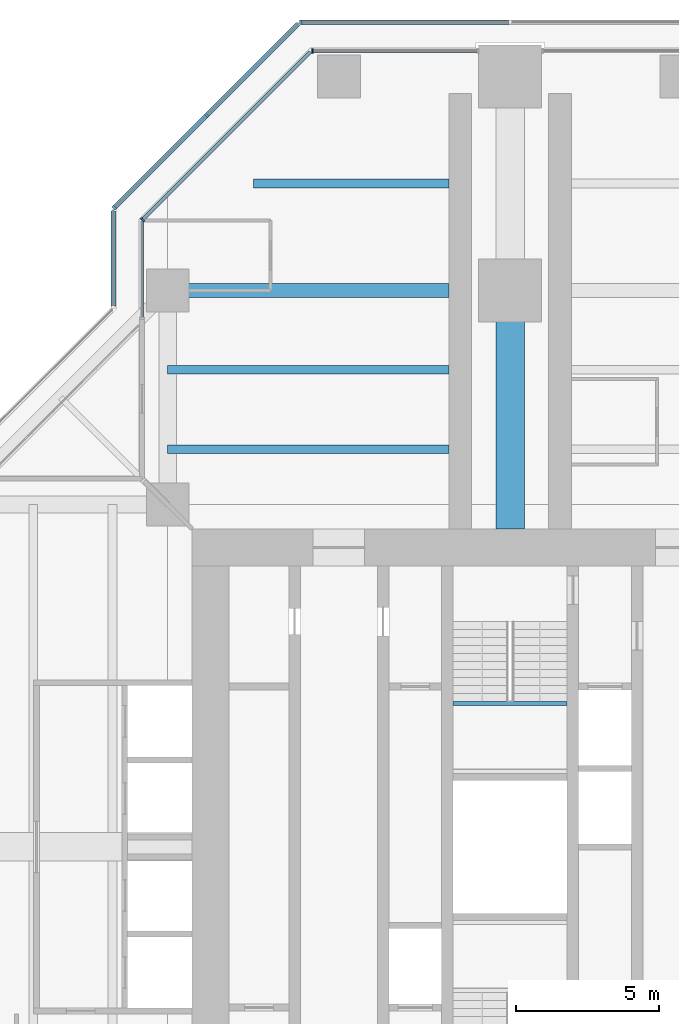
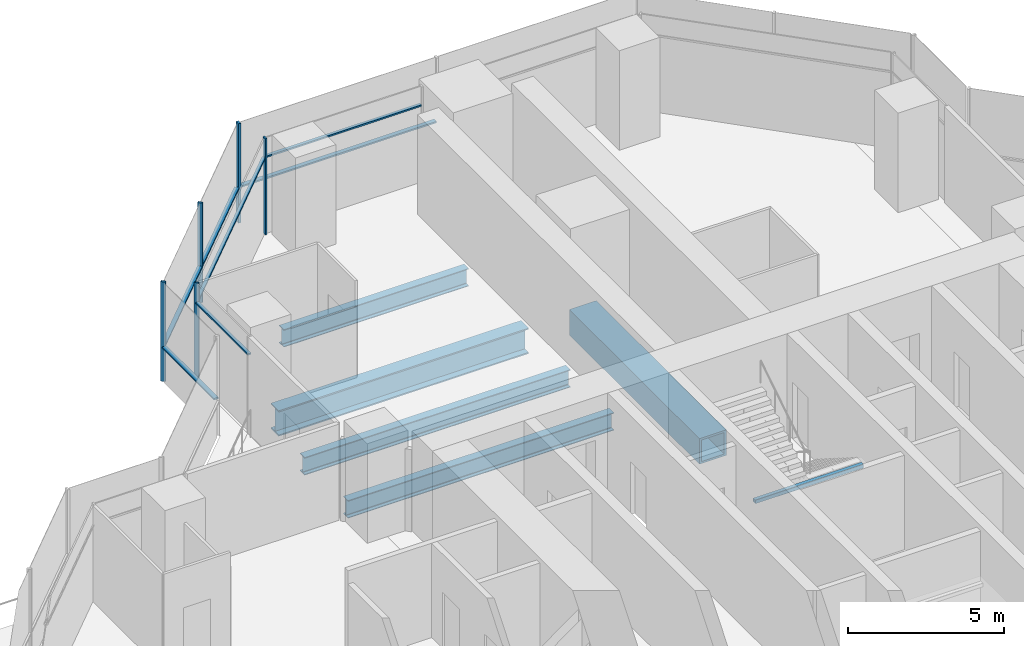
# One storey, part 8 of 19: 12 members, 6 beams, 6 elements without a shape of their own.
"""IFC4 building model written with IfcOpenShell, lengths in metres."""

from ifc_helpers import new_model, si_unit, direction, frame, origin, origin_2d, place, context, subcontext, project, spatial, rectangle, hollow_rectangle, i_section, extrude, material, material_profile, profile_set, type_object, element, aggregate, save


model = new_model("IFC4")

# Units and contexts
model_context = context("Model", 3, precision=1e-05, world=origin(), true_north=direction((0.0, 1.0)))
body_context = subcontext(model_context, "Body", "Model", "MODEL_VIEW")
ifc_project = project(units=[si_unit("LENGTHUNIT", "METRE"), si_unit("AREAUNIT", "SQUARE_METRE"), si_unit("VOLUMEUNIT", "CUBIC_METRE"), si_unit("PLANEANGLEUNIT", "RADIAN"), si_unit("MASSUNIT", "GRAM", prefix="KILO")], contexts=[model_context])

# Site, building, storey
site_placement = place(None, origin())
site = spatial("IfcSite", under=ifc_project, at=site_placement, CompositionType="ELEMENT")
building_placement = place(site_placement, origin())
building = spatial("IfcBuilding", under=site, at=building_placement, Name="Mizan Broadcast Tower", CompositionType="ELEMENT")
storey_placement = place(building_placement, frame((0.0, 0.0, 204.89990234375)))
storey = spatial("IfcBuildingStorey", under=building, at=storey_placement, Name="L47", CompositionType="ELEMENT", Elevation=204.89990234375)

# Beam
ifc_material_1 = material(Name="Steel S460", Category="steel")
ifc_material_profile_1 = material_profile(ifc_material_1, i_section(OverallWidth=0.5, OverallDepth=1.0, WebThickness=0.02490234375, FlangeThickness=0.050048828125, at=origin_2d()), Name="WPG 1000x500")
ifc_profile_set_1 = profile_set([ifc_material_profile_1], Name="Steel S460")
beam_type_1 = type_object("IfcBeamType", Name="GIRDER WPG 1000x500", PredefinedType="BEAM", material=ifc_profile_set_1)
beam_1_placement = place(storey_placement, frame((-11.408935546875, 19.5, -0.6298828125), z_axis=(1.0, 0.0, 0.0), x_axis=(0.0, 1.0, 0.0)))
element("IfcBeam", 1, at=beam_1_placement, inside=storey, type_object=beam_type_1, Name="Girder WPG 1000x500 L47 north arm", PredefinedType="BEAM", context=body_context, shape_type="SweptSolid", body=[
    extrude(i_section(OverallWidth=0.5, OverallDepth=1.0, WebThickness=0.02490234375, FlangeThickness=0.050048828125, at=origin_2d()), origin(), (0.0, 0.0, 1.0), 9.259033203125),
])

# Curtain wall, member
ifc_material_2 = material(Name="Aluminium framed glazing", Category="aluminium")
curtain_wall_type_1 = type_object("IfcCurtainWallType", Name="INNER SKIN HIGH ZONE", PredefinedType="USERDEFINED", material=ifc_material_2)
curtain_wall_1_placement = place(storey_placement, origin())
curtain_wall_1 = element("IfcCurtainWall", 2, at=curtain_wall_1_placement, inside=storey, type_object=curtain_wall_type_1, Name="Inner skin high zone L47 N end", ObjectType="INNER SKIN HIGH ZONE", PredefinedType="USERDEFINED")
ifc_material_3 = material(Name="Aluminium, pale anodised", Category="aluminium")
ifc_material_profile_2 = material_profile(ifc_material_3, rectangle(XDim=0.159912109375, YDim=0.06005859375, at=origin_2d()), Name="MULLION 160x60")
ifc_profile_set_2 = profile_set([ifc_material_profile_2], Name="Aluminium, pale anodised")
member_type_1 = type_object("IfcMemberType", Name="INNER SKIN MULLION 60x160", PredefinedType="MULLION", material=ifc_profile_set_2)
member_1_placement = place(storey_placement, frame((-6.928466796875, 27.89990234375, 0.0), z_axis=(0.0, 0.0, 1.0), x_axis=(0.0, -1.0, 0.0)))
member_1 = element("IfcMember", 3, at=member_1_placement, type_object=member_type_1, Name="Inner skin high zone L47 N end mullion 2", PredefinedType="MULLION", context=body_context, shape_type="SweptSolid", body=[
    extrude(rectangle(XDim=0.159912109375, YDim=0.06005859375, at=origin_2d()), origin(), (0.0, 0.0, 1.0), 3.77001953125),
])

curtain_wall_2_placement = place(storey_placement, origin())
curtain_wall_2 = element("IfcCurtainWall", 4, at=curtain_wall_2_placement, inside=storey, type_object=curtain_wall_type_1, Name="Inner skin high zone L47 N chamfer", ObjectType="INNER SKIN HIGH ZONE", PredefinedType="USERDEFINED")
member_2_placement = place(storey_placement, frame((-12.87890625, 21.979736328125, 0.0), z_axis=(0.0, 0.0, 1.0), x_axis=(0.707106781187, -0.707106781187, 0.0)))
member_2 = element("IfcMember", 5, at=member_2_placement, type_object=member_type_1, Name="Inner skin high zone L47 N chamfer mullion 2", PredefinedType="MULLION", context=body_context, shape_type="SweptSolid", body=[
    extrude(rectangle(XDim=0.159912109375, YDim=0.06005859375, at=origin_2d()), origin(), (0.0, 0.0, 1.0), 3.77001953125),
])

# Member
ifc_material_4 = material(Name="Aluminium, pale anodised", Category="aluminium")
ifc_material_profile_3 = material_profile(ifc_material_4, rectangle(XDim=0.1201171875, YDim=0.06005859375, at=origin_2d()), Name="TRANSOM 120x60")
ifc_profile_set_3 = profile_set([ifc_material_profile_3], Name="Aluminium, pale anodised")
member_type_2 = type_object("IfcMemberType", Name="INNER SKIN TRANSOM 60x120", PredefinedType="USERDEFINED", material=ifc_profile_set_3)
member_3_placement = place(storey_placement, frame((-1.159912109375, 27.89990234375, 3.030029296875), z_axis=(-1.0, 0.0, 0.0), x_axis=(0.0, -1.0, 0.0)))
member_3 = element("IfcMember", 6, at=member_3_placement, type_object=member_type_2, Name="Inner skin high zone L47 N end transom 1.1", ObjectType="TRANSOM", PredefinedType="USERDEFINED", context=body_context, shape_type="SweptSolid", body=[
    extrude(rectangle(XDim=0.1201171875, YDim=0.06005859375, at=origin_2d()), origin(), (0.0, 0.0, 1.0), 5.73876953125),
])

aggregate(curtain_wall_1, [member_1, member_3])

member_4_placement = place(storey_placement, frame((-7.0009765625, 27.857666015625, 3.030029296875), z_axis=(-0.707106781187, -0.707106781187, 0.0), x_axis=(0.707106781187, -0.707106781187, 0.0)))
member_4 = element("IfcMember", 7, at=member_4_placement, type_object=member_type_2, Name="Inner skin high zone L47 N chamfer transom 1.1", ObjectType="TRANSOM", PredefinedType="USERDEFINED", context=body_context, shape_type="SweptSolid", body=[
    extrude(rectangle(XDim=0.1201171875, YDim=0.06005859375, at=origin_2d()), origin(), (0.0, 0.0, 1.0), 8.28271484375),
])

aggregate(curtain_wall_2, [member_2, member_4])

# Curtain wall, member
curtain_wall_3_placement = place(storey_placement, origin())
curtain_wall_3 = element("IfcCurtainWall", 8, at=curtain_wall_3_placement, inside=storey, type_object=curtain_wall_type_1, Name="Inner skin high zone L47 N side", ObjectType="INNER SKIN HIGH ZONE", PredefinedType="USERDEFINED")
member_5_placement = place(storey_placement, frame((-12.89990234375, 21.898681640625, 3.030029296875), z_axis=(0.0, -1.0, 0.0), x_axis=(1.0, 0.0, 0.0)))
member_5 = element("IfcMember", 9, at=member_5_placement, type_object=member_type_2, Name="Inner skin high zone L47 N side transom 1.1", ObjectType="TRANSOM", PredefinedType="USERDEFINED", context=body_context, shape_type="SweptSolid", body=[
    extrude(rectangle(XDim=0.1201171875, YDim=0.06005859375, at=origin_2d()), origin(), (0.0, 0.0, 1.0), 3.338623046875),
])
aggregate(curtain_wall_3, [member_5])

# Beam
ifc_material_5 = material(Name="Steel S355", Category="steel")
ifc_material_profile_4 = material_profile(ifc_material_5, hollow_rectangle(XDim=0.14990234375, YDim=0.14990234375, WallThickness=0.008056640625, InnerFilletRadius=0.008056640625, OuterFilletRadius=0.011962890625, at=origin_2d()), Name="SHS 150x150x8")
ifc_profile_set_4 = profile_set([ifc_material_profile_4], Name="Steel S355")
beam_type_2 = type_object("IfcBeamType", Name="LANDING TRIMMER SHS 150x150x8", PredefinedType="BEAM", material=ifc_profile_set_4)
beam_2_placement = place(storey_placement, frame((2.0, 5.02490234375, 1.675048828125), z_axis=(-1.0, 0.0, 0.0), x_axis=(0.0, -1.0, 0.0)))
element("IfcBeam", 10, at=beam_2_placement, inside=storey, type_object=beam_type_2, Name="Stair B landing trimmer L47", PredefinedType="BEAM", context=body_context, shape_type="SweptSolid", body=[
    extrude(hollow_rectangle(XDim=0.14990234375, YDim=0.14990234375, WallThickness=0.008056640625, InnerFilletRadius=0.008056640625, OuterFilletRadius=0.011962890625, at=origin_2d()), origin(), (0.0, 0.0, 1.0), 4.0),
])

# Curtain wall, member
ifc_material_6 = material(Name="Aluminium framed glazing", Category="aluminium")
curtain_wall_type_2 = type_object("IfcCurtainWallType", Name="OUTER SKIN", PredefinedType="USERDEFINED", material=ifc_material_6)
curtain_wall_4_placement = place(storey_placement, origin())
curtain_wall_4 = element("IfcCurtainWall", 11, at=curtain_wall_4_placement, inside=storey, type_object=curtain_wall_type_2, Name="Outer skin L47 N end", ObjectType="OUTER SKIN", PredefinedType="USERDEFINED")
ifc_material_7 = material(Name="Aluminium, pale anodised", Category="aluminium")
ifc_material_profile_5 = material_profile(ifc_material_7, rectangle(XDim=0.159912109375, YDim=0.080078125, at=origin_2d()), Name="MULLION 160x80")
ifc_profile_set_5 = profile_set([ifc_material_profile_5], Name="Aluminium, pale anodised")
member_type_3 = type_object("IfcMemberType", Name="OUTER SKIN MULLION 80x160", PredefinedType="MULLION", material=ifc_profile_set_5)
member_6_placement = place(storey_placement, frame((-7.332763671875, 28.89990234375, 0.0), z_axis=(0.0, 0.0, 1.0), x_axis=(0.0, -1.0, 0.0)))
member_6 = element("IfcMember", 12, at=member_6_placement, type_object=member_type_3, Name="Outer skin L47 N end mullion 3", PredefinedType="MULLION", context=body_context, shape_type="SweptSolid", body=[
    extrude(rectangle(XDim=0.159912109375, YDim=0.080078125, at=origin_2d()), origin(), (0.0, 0.0, 1.0), 3.900146484375),
])

# Curtain wall, members
curtain_wall_5_placement = place(storey_placement, origin())
curtain_wall_5 = element("IfcCurtainWall", 13, at=curtain_wall_5_placement, inside=storey, type_object=curtain_wall_type_2, Name="Outer skin L47 N chamfer", ObjectType="OUTER SKIN", PredefinedType="USERDEFINED")
member_7_placement = place(storey_placement, frame((-10.636474609375, 25.636474609375, 0.0), z_axis=(0.0, 0.0, 1.0), x_axis=(0.707106781187, -0.707106781187, 0.0)))
member_7 = element("IfcMember", 14, at=member_7_placement, type_object=member_type_3, Name="Outer skin L47 N chamfer mullion 2", PredefinedType="MULLION", context=body_context, shape_type="SweptSolid", body=[
    extrude(rectangle(XDim=0.159912109375, YDim=0.080078125, at=origin_2d()), origin(), (0.0, 0.0, 1.0), 3.900146484375),
])
member_8_placement = place(storey_placement, frame((-13.871826171875, 22.401123046875, 0.0), z_axis=(0.0, 0.0, 1.0), x_axis=(0.707106781187, -0.707106781187, 0.0)))
member_8 = element("IfcMember", 15, at=member_8_placement, type_object=member_type_3, Name="Outer skin L47 N chamfer mullion 3", PredefinedType="MULLION", context=body_context, shape_type="SweptSolid", body=[
    extrude(rectangle(XDim=0.159912109375, YDim=0.080078125, at=origin_2d()), origin(), (0.0, 0.0, 1.0), 3.900146484375),
])

# Member
ifc_material_8 = material(Name="Aluminium, pale anodised", Category="aluminium")
ifc_material_profile_6 = material_profile(ifc_material_8, rectangle(XDim=0.159912109375, YDim=0.06005859375, at=origin_2d()), Name="TRANSOM 160x60")
ifc_profile_set_6 = profile_set([ifc_material_profile_6], Name="Aluminium, pale anodised")
member_type_4 = type_object("IfcMemberType", Name="OUTER SKIN TRANSOM 60x160", PredefinedType="USERDEFINED", material=ifc_profile_set_6)
member_9_placement = place(storey_placement, frame((-0.0400390625, 28.89990234375, 1.400146484375), z_axis=(-1.0, 0.0, 0.0), x_axis=(0.0, -1.0, 0.0)))
member_9 = element("IfcMember", 16, at=member_9_placement, type_object=member_type_4, Name="Outer skin L47 N end transom 2.1", ObjectType="TRANSOM", PredefinedType="USERDEFINED", context=body_context, shape_type="SweptSolid", body=[
    extrude(rectangle(XDim=0.159912109375, YDim=0.06005859375, at=origin_2d()), origin(), (0.0, 0.0, 1.0), 7.252685546875),
])

aggregate(curtain_wall_4, [member_6, member_9])

member_10_placement = place(storey_placement, frame((-7.429443359375, 28.843505859375, 1.400146484375), z_axis=(-0.707106781187, -0.707106781187, 0.0), x_axis=(0.707106781187, -0.707106781187, 0.0)))
member_10 = element("IfcMember", 17, at=member_10_placement, type_object=member_type_4, Name="Outer skin L47 N chamfer transom 1.1", ObjectType="TRANSOM", PredefinedType="USERDEFINED", context=body_context, shape_type="SweptSolid", body=[
    extrude(rectangle(XDim=0.159912109375, YDim=0.06005859375, at=origin_2d()), origin(), (0.0, 0.0, 1.0), 4.495361328125),
])

member_11_placement = place(storey_placement, frame((-10.664794921875, 25.608154296875, 1.400146484375), z_axis=(-0.707106781187, -0.707106781187, 0.0), x_axis=(0.707106781187, -0.707106781187, 0.0)))
member_11 = element("IfcMember", 18, at=member_11_placement, type_object=member_type_4, Name="Outer skin L47 N chamfer transom 2.1", ObjectType="TRANSOM", PredefinedType="USERDEFINED", context=body_context, shape_type="SweptSolid", body=[
    extrude(rectangle(XDim=0.159912109375, YDim=0.06005859375, at=origin_2d()), origin(), (0.0, 0.0, 1.0), 4.495361328125),
])

aggregate(curtain_wall_5, [member_7, member_8, member_10, member_11])

# Curtain wall, member
curtain_wall_6_placement = place(storey_placement, origin())
curtain_wall_6 = element("IfcCurtainWall", 19, at=curtain_wall_6_placement, inside=storey, type_object=curtain_wall_type_2, Name="Outer skin L47 N side", ObjectType="OUTER SKIN", PredefinedType="USERDEFINED")
member_12_placement = place(storey_placement, frame((-13.89990234375, 22.292724609375, 1.400146484375), z_axis=(0.0, -1.0, 0.0), x_axis=(1.0, 0.0, 0.0)))
member_12 = element("IfcMember", 20, at=member_12_placement, type_object=member_type_4, Name="Outer skin L47 N side transom 1.1", ObjectType="TRANSOM", PredefinedType="USERDEFINED", context=body_context, shape_type="SweptSolid", body=[
    extrude(rectangle(XDim=0.159912109375, YDim=0.06005859375, at=origin_2d()), origin(), (0.0, 0.0, 1.0), 3.33984375),
])
aggregate(curtain_wall_6, [member_12])

# Beams
ifc_material_9 = material(Name="Steel S460", Category="steel")
ifc_material_profile_7 = material_profile(ifc_material_9, hollow_rectangle(XDim=1.0, YDim=1.0, WallThickness=0.080078125, at=origin_2d()), Name="BOX 1000x1000x80")
ifc_profile_set_7 = profile_set([ifc_material_profile_7], Name="Steel S460")
beam_type_3 = type_object("IfcBeamType", Name="OUTRIGGER TRUSS OT3 CHORD BOX 1000x1000x80", PredefinedType="BEAM", material=ifc_profile_set_7)
beam_3_placement = place(storey_placement, frame((0.0, 11.14990234375, -0.6298828125), z_axis=(0.0, 1.0, 0.0), x_axis=(-1.0, 0.0, 0.0)))
element("IfcBeam", 21, at=beam_3_placement, inside=storey, type_object=beam_type_3, Name="Outrigger truss OT3-N top chord 1", PredefinedType="BEAM", context=body_context, shape_type="SweptSolid", body=[
    extrude(hollow_rectangle(XDim=1.0, YDim=1.0, WallThickness=0.080078125, at=origin_2d()), origin(), (0.0, 0.0, 1.0), 8.35009765625),
])
ifc_material_10 = material(Name="Steel S355", Category="steel")
ifc_material_profile_8 = material_profile(ifc_material_10, i_section(OverallWidth=0.300048828125, OverallDepth=0.68994140625, WebThickness=0.014404296875, FlangeThickness=0.027099609375, FilletRadius=0.027099609375, at=origin_2d()), Name="HEA 700")
ifc_profile_set_8 = profile_set([ifc_material_profile_8], Name="Steel S355")
beam_type_4 = type_object("IfcBeamType", Name="SECONDARY BEAM HEA 700", PredefinedType="JOIST", material=ifc_profile_set_8)
for number, where, z_axis, x_axis, name in (
    (22, (-12.0, 13.933349609375, -0.474853515625), (1.0, 0.0, 0.0), (0.0, 1.0, 0.0), "Secondary beam HEA 700 L47 north arm"),
    (23, (-12.0, 16.716552734375, -0.474853515625), (1.0, 0.0, 0.0), (0.0, 1.0, 0.0), "Secondary beam HEA 700 L47 north arm"),
):
    element("IfcBeam", number, at=place(storey_placement, frame(where, z_axis=z_axis, x_axis=x_axis)), inside=storey, type_object=beam_type_4, Name=name, PredefinedType="JOIST", context=body_context, shape_type="SweptSolid", body=[
        extrude(i_section(OverallWidth=0.300048828125, OverallDepth=0.68994140625, WebThickness=0.014404296875, FlangeThickness=0.027099609375, FilletRadius=0.027099609375, at=origin_2d()), origin(), (0.0, 0.0, 1.0), 9.85009765625),
    ])
beam_4_placement = place(storey_placement, frame((-9.0, 23.25, -0.474853515625), z_axis=(1.0, 0.0, 0.0), x_axis=(0.0, 1.0, 0.0)))
element("IfcBeam", 24, at=beam_4_placement, inside=storey, type_object=beam_type_4, Name="Secondary beam HEA 700 L47 north arm", PredefinedType="JOIST", context=body_context, shape_type="SweptSolid", body=[
    extrude(i_section(OverallWidth=0.300048828125, OverallDepth=0.68994140625, WebThickness=0.014404296875, FlangeThickness=0.027099609375, FilletRadius=0.027099609375, at=origin_2d()), origin(), (0.0, 0.0, 1.0), 6.85009765625),
])

save(model, "model.ifc")
